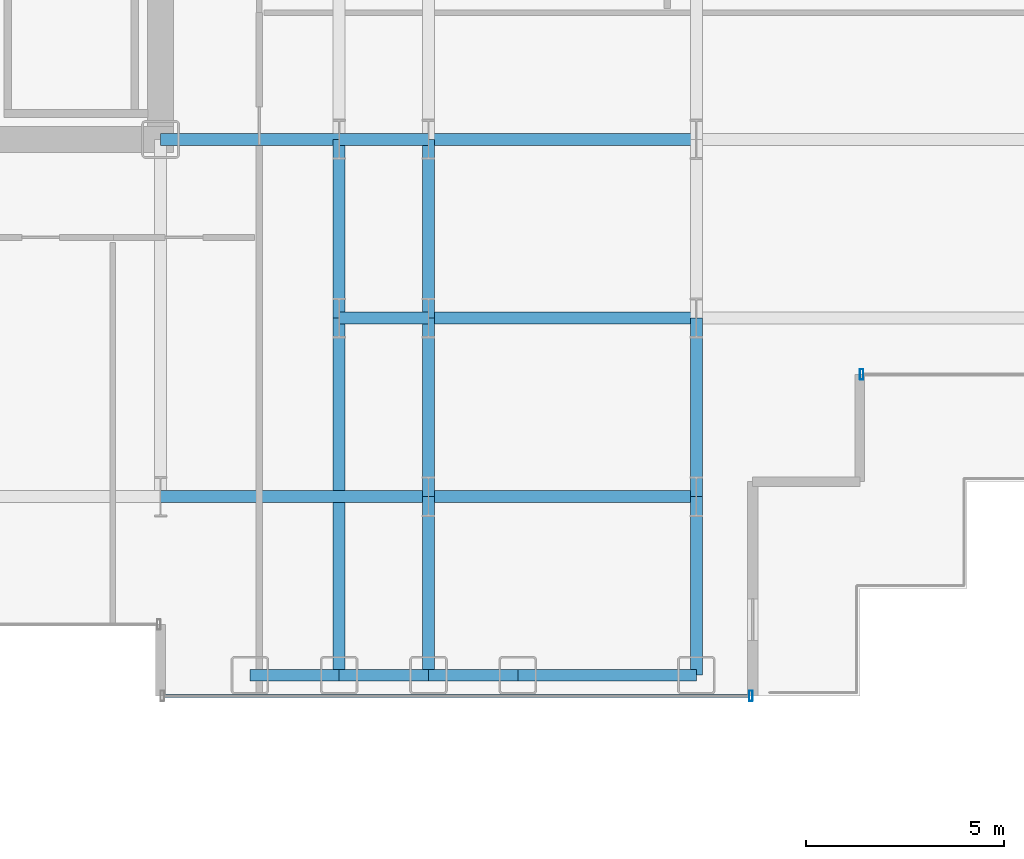
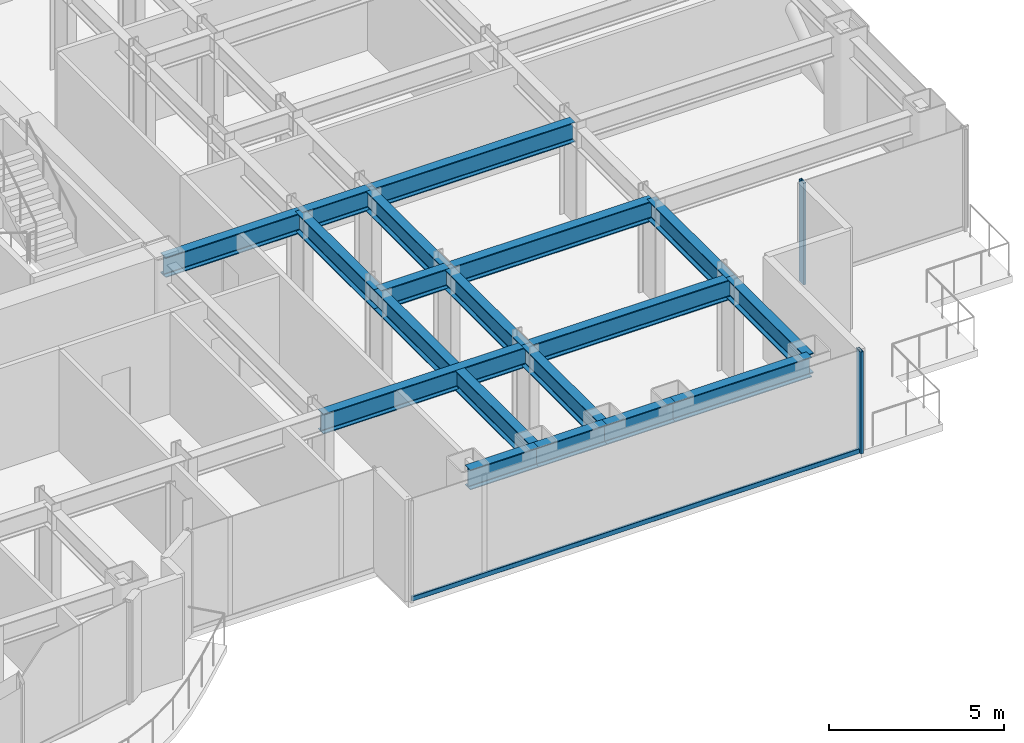
# One storey, part 9 of 29: 18 beams, 3 members, 2 elements without a shape of their own.
"""IFC4 building model written with IfcOpenShell, lengths in metres."""

from ifc_helpers import new_model, si_unit, direction, frame, origin, origin_2d, place, context, subcontext, project, spatial, hollow_rectangle, i_section, extrude, source, transform, mapped, material, layer, layer_set, material_profile, profile_set, type_object, element, aggregate, save


model = new_model("IFC4")

# Units and contexts
model_context = context("Model", 3, precision=1e-05, world=origin(), true_north=direction((0.0, 1.0)))
body_context = subcontext(model_context, "Body", "Model", "MODEL_VIEW")
ifc_project = project(units=[si_unit("LENGTHUNIT", "METRE"), si_unit("AREAUNIT", "SQUARE_METRE"), si_unit("VOLUMEUNIT", "CUBIC_METRE"), si_unit("PLANEANGLEUNIT", "RADIAN"), si_unit("MASSUNIT", "GRAM", prefix="KILO")], contexts=[model_context])

# Site, building, storey
site_placement = place(None, origin())
site = spatial("IfcSite", under=ifc_project, at=site_placement, CompositionType="ELEMENT")
building_placement = place(site_placement, origin())
building = spatial("IfcBuilding", under=site, at=building_placement, Name="Nefas-Gora Pilgrimage Tower", CompositionType="ELEMENT")
storey_placement = place(building_placement, frame((0.0, 0.0, 67.199951171875)))
storey = spatial("IfcBuildingStorey", under=building, at=storey_placement, Name="L15", CompositionType="ELEMENT", Elevation=67.199951171875)

# Beams
ifc_material_1 = material(Name="Steel S355", Category="steel")
ifc_material_profile_1 = material_profile(ifc_material_1, i_section(OverallWidth=0.300048828125, OverallDepth=0.699951171875, WebThickness=0.01708984375, FlangeThickness=0.031982421875, FilletRadius=0.027099609375, at=origin_2d()), Name="HEB 700")
ifc_profile_set_1 = profile_set([ifc_material_profile_1], Name="Steel S355")
beam_type_1 = type_object("IfcBeamType", Name="BM-SPN-HEB600", PredefinedType="SPANDREL", material=ifc_profile_set_1)
shared_shape_1 = source(origin(), body_context, "Body", "SweptSolid", [
    extrude(i_section(OverallWidth=0.300048828125, OverallDepth=0.699951171875, WebThickness=0.01708984375, FlangeThickness=0.031982421875, FilletRadius=0.027099609375, at=origin_2d()), origin(), (0.0, 0.0, 1.0), 4.5),
])
beam_1_placement = place(storey_placement, frame((20.25, -22.5, 3.199951171875), z_axis=(1.0, 0.0, 0.0), x_axis=(0.0, 1.0, 0.0)))
element("IfcBeam", 1, at=beam_1_placement, inside=storey, type_object=beam_type_1, Name="L15 SP-01 beam", PredefinedType="SPANDREL", context=body_context, shape_type="MappedRepresentation", body=[
    mapped(shared_shape_1, transform((0.0, 0.0, 0.0), x_axis=(1.0, 0.0, 0.0), y_axis=(0.0, 1.0, 0.0), z_axis=(0.0, 0.0, 1.0), scale=1.0)),
])
ifc_material_profile_2 = material_profile(ifc_material_1, i_section(OverallWidth=0.300048828125, OverallDepth=0.699951171875, WebThickness=0.01708984375, FlangeThickness=0.031982421875, FilletRadius=0.027099609375, at=origin_2d()), Name="HEB 700")
ifc_profile_set_2 = profile_set([ifc_material_profile_2], Name="Steel S355")
beam_type_2 = type_object("IfcBeamType", Name="BM-GIR-HEB700", PredefinedType="BEAM", material=ifc_profile_set_2)
shared_shape_2 = source(origin(), body_context, "Body", "SweptSolid", [
    extrude(i_section(OverallWidth=0.300048828125, OverallDepth=0.699951171875, WebThickness=0.01708984375, FlangeThickness=0.031982421875, FilletRadius=0.027099609375, at=origin_2d()), origin(), (0.0, 0.0, 1.0), 9.0),
])
beam_2_placement = place(storey_placement, frame((15.75, -22.5, 3.199951171875), z_axis=(0.0, 1.0, 0.0), x_axis=(-1.0, 0.0, 0.0)))
element("IfcBeam", 2, at=beam_2_placement, inside=storey, type_object=beam_type_2, Name="L15 G-02 beam", PredefinedType="BEAM", context=body_context, shape_type="MappedRepresentation", body=[
    mapped(shared_shape_2, transform((0.0, 0.0, 0.0), x_axis=(1.0, 0.0, 0.0), y_axis=(0.0, 1.0, 0.0), z_axis=(0.0, 0.0, 1.0), scale=1.0)),
])
shared_shape_3 = source(origin(), body_context, "Body", "SweptSolid", [
    extrude(i_section(OverallWidth=0.300048828125, OverallDepth=0.699951171875, WebThickness=0.01708984375, FlangeThickness=0.031982421875, FilletRadius=0.027099609375, at=origin_2d()), origin(), (0.0, 0.0, 1.0), 4.5),
])
for number, where, z_axis, x_axis, name in (
    (3, (11.25, -9.0, 3.199951171875), (1.0, 0.0, 0.0), (0.0, 1.0, 0.0), "L15 G-02 beam"),
    (4, (15.75, -13.5, 3.199951171875), (0.0, 1.0, 0.0), (-1.0, 0.0, 0.0), "L15 G-02 beam"),
    (5, (18.0, -22.5, 3.199951171875), (0.0, 1.0, 0.0), (-1.0, 0.0, 0.0), "L15 G-02 beam"),
    (6, (18.0, -18.0, 3.199951171875), (0.0, 1.0, 0.0), (-1.0, 0.0, 0.0), "L15 G-02 beam"),
    (7, (18.0, -13.5, 3.199951171875), (0.0, 1.0, 0.0), (-1.0, 0.0, 0.0), "L15 G-02 beam"),
    (8, (24.75, -22.5, 3.199951171875), (0.0, 1.0, 0.0), (-1.0, 0.0, 0.0), "L15 G-02 beam"),
    (9, (24.75, -18.0, 3.199951171875), (0.0, 1.0, 0.0), (-1.0, 0.0, 0.0), "L15 G-02 beam"),
):
    element("IfcBeam", number, at=place(storey_placement, frame(where, z_axis=z_axis, x_axis=x_axis)), inside=storey, type_object=beam_type_2, Name=name, PredefinedType="BEAM", context=body_context, shape_type="MappedRepresentation", body=[
        mapped(shared_shape_3, transform((0.0, 0.0, 0.0), x_axis=(1.0, 0.0, 0.0), y_axis=(0.0, 1.0, 0.0), z_axis=(0.0, 0.0, 1.0), scale=1.0)),
    ])
shared_shape_4 = source(origin(), body_context, "Body", "SweptSolid", [
    extrude(i_section(OverallWidth=0.300048828125, OverallDepth=0.699951171875, WebThickness=0.01708984375, FlangeThickness=0.031982421875, FilletRadius=0.027099609375, at=origin_2d()), origin(), (0.0, 0.0, 1.0), 6.75),
])
for number, where, z_axis, x_axis, name in (
    (10, (11.25, -18.0, 3.199951171875), (1.0, 0.0, 0.0), (0.0, 1.0, 0.0), "L15 G-02 beam"),
    (11, (18.0, -18.0, 3.199951171875), (1.0, 0.0, 0.0), (0.0, 1.0, 0.0), "L15 G-02 beam"),
    (12, (18.0, -13.5, 3.199951171875), (1.0, 0.0, 0.0), (0.0, 1.0, 0.0), "L15 G-02 beam"),
    (13, (18.0, -9.0, 3.199951171875), (1.0, 0.0, 0.0), (0.0, 1.0, 0.0), "L15 G-02 beam"),
):
    element("IfcBeam", number, at=place(storey_placement, frame(where, z_axis=z_axis, x_axis=x_axis)), inside=storey, type_object=beam_type_2, Name=name, PredefinedType="BEAM", context=body_context, shape_type="MappedRepresentation", body=[
        mapped(shared_shape_4, transform((0.0, 0.0, 0.0), x_axis=(1.0, 0.0, 0.0), y_axis=(0.0, 1.0, 0.0), z_axis=(0.0, 0.0, 1.0), scale=1.0)),
    ])
shared_shape_5 = source(origin(), body_context, "Body", "SweptSolid", [
    extrude(i_section(OverallWidth=0.300048828125, OverallDepth=0.699951171875, WebThickness=0.01708984375, FlangeThickness=0.031982421875, FilletRadius=0.027099609375, at=origin_2d()), origin(), (0.0, 0.0, 1.0), 2.25),
])
for number, where, z_axis, x_axis, name in (
    (14, (13.5, -22.5, 3.199951171875), (1.0, 0.0, 0.0), (0.0, 1.0, 0.0), "L15 SP-01 beam"),
    (15, (15.75, -22.5, 3.199951171875), (1.0, 0.0, 0.0), (0.0, 1.0, 0.0), "L15 SP-01 beam"),
    (16, (18.0, -22.5, 3.199951171875), (1.0, 0.0, 0.0), (0.0, 1.0, 0.0), "L15 SP-01 beam"),
):
    element("IfcBeam", number, at=place(storey_placement, frame(where, z_axis=z_axis, x_axis=x_axis)), inside=storey, type_object=beam_type_1, Name=name, PredefinedType="SPANDREL", context=body_context, shape_type="MappedRepresentation", body=[
        mapped(shared_shape_5, transform((0.0, 0.0, 0.0), x_axis=(1.0, 0.0, 0.0), y_axis=(0.0, 1.0, 0.0), z_axis=(0.0, 0.0, 1.0), scale=1.0)),
    ])
shared_shape_6 = source(origin(), body_context, "Body", "SweptSolid", [
    extrude(i_section(OverallWidth=0.300048828125, OverallDepth=0.699951171875, WebThickness=0.01708984375, FlangeThickness=0.031982421875, FilletRadius=0.027099609375, at=origin_2d()), origin(), (0.0, 0.0, 1.0), 2.25),
])
for number, where, z_axis, x_axis, name in (
    (17, (15.75, -13.5, 3.199951171875), (1.0, 0.0, 0.0), (0.0, 1.0, 0.0), "L15 G-02 beam"),
    (18, (15.75, -9.0, 3.199951171875), (1.0, 0.0, 0.0), (0.0, 1.0, 0.0), "L15 G-02 beam"),
):
    element("IfcBeam", number, at=place(storey_placement, frame(where, z_axis=z_axis, x_axis=x_axis)), inside=storey, type_object=beam_type_2, Name=name, PredefinedType="BEAM", context=body_context, shape_type="MappedRepresentation", body=[
        mapped(shared_shape_6, transform((0.0, 0.0, 0.0), x_axis=(1.0, 0.0, 0.0), y_axis=(0.0, 1.0, 0.0), z_axis=(0.0, 0.0, 1.0), scale=1.0)),
    ])

# Curtain wall, member
ifc_material_2 = material(Name="Dark ceramic-fritted solar-control aluminium-glass curtain wall", Category="aluminium")
ifc_layer = layer(ifc_material_2, 0.219970703125)
ifc_layer_set = layer_set([ifc_layer], Name="Dark ceramic-fritted solar-control aluminium-glass curtain wall")
curtain_wall_type = type_object("IfcCurtainWallType", Name="CW-SYS-2", PredefinedType="NOTDEFINED", material=ifc_layer_set)
curtain_wall_1_placement = place(storey_placement, origin())
curtain_wall_1 = element("IfcCurtainWall", 19, at=curtain_wall_1_placement, inside=storey, type_object=curtain_wall_type, Name="L15 Unitised Curtain Wall CW2", PredefinedType="NOTDEFINED")
ifc_material_3 = material(Name="Anodised architectural aluminium", Category="aluminium")
ifc_material_profile_3 = material_profile(ifc_material_3, hollow_rectangle(XDim=0.090087890625, YDim=0.260009765625, WallThickness=0.006103515625, InnerFilletRadius=0.006103515625, OuterFilletRadius=0.011962890625, at=origin_2d()), Name="ALU MULLION 90x260")
ifc_profile_set_3 = profile_set([ifc_material_profile_3], Name="Anodised architectural aluminium")
member_type_1 = type_object("IfcMemberType", Name="CWM-MUL-2", PredefinedType="MULLION", material=ifc_profile_set_3)
shared_shape_7 = source(origin(), body_context, "Body", "SweptSolid", [
    extrude(hollow_rectangle(XDim=0.090087890625, YDim=0.260009765625, WallThickness=0.006103515625, InnerFilletRadius=0.006103515625, OuterFilletRadius=0.011962890625, at=origin_2d()), origin(), (0.0, 0.0, 1.0), 3.550048828125),
])
member_1_placement = place(storey_placement, frame((26.125, -23.02001953125, 0.0), z_axis=(0.0, 0.0, 1.0), x_axis=(1.0, 0.0, 0.0)))
member_1 = element("IfcMember", 20, at=member_1_placement, type_object=member_type_1, Name="CW2 Mullion 2", PredefinedType="MULLION", context=body_context, shape_type="MappedRepresentation", body=[
    mapped(shared_shape_7, transform((0.0, 0.0, 0.0), x_axis=(1.0, 0.0, 0.0), y_axis=(0.0, 1.0, 0.0), z_axis=(0.0, 0.0, 1.0), scale=1.0)),
])

curtain_wall_2_placement = place(storey_placement, origin())
curtain_wall_2 = element("IfcCurtainWall", 21, at=curtain_wall_2_placement, inside=storey, type_object=curtain_wall_type, Name="L15 Unitised Curtain Wall CW2", PredefinedType="NOTDEFINED")
member_2_placement = place(storey_placement, frame((28.9150390625, -14.919921875, 0.0), z_axis=(0.0, 0.0, 1.0), x_axis=(1.0, 0.0, 0.0)))
member_2 = element("IfcMember", 22, at=member_2_placement, type_object=member_type_1, Name="CW2 Mullion 1", PredefinedType="MULLION", context=body_context, shape_type="MappedRepresentation", body=[
    mapped(shared_shape_7, transform((0.0, 0.0, 0.0), x_axis=(1.0, 0.0, 0.0), y_axis=(0.0, 1.0, 0.0), z_axis=(0.0, 0.0, 1.0), scale=1.0)),
])
aggregate(curtain_wall_2, [member_2])

# Member
ifc_material_profile_4 = material_profile(ifc_material_3, hollow_rectangle(XDim=0.080078125, YDim=0.159912109375, WallThickness=0.00439453125, InnerFilletRadius=0.00439453125, OuterFilletRadius=0.009033203125, at=origin_2d()), Name="ALU TRANSOM 80x160")
ifc_profile_set_4 = profile_set([ifc_material_profile_4], Name="Anodised architectural aluminium")
member_type_2 = type_object("IfcMemberType", Name="CWM-TRN-2", PredefinedType="USERDEFINED", material=ifc_profile_set_4)
shared_shape_8 = source(origin(), body_context, "Body", "SweptSolid", [
    extrude(hollow_rectangle(XDim=0.080078125, YDim=0.159912109375, WallThickness=0.00439453125, InnerFilletRadius=0.00439453125, OuterFilletRadius=0.009033203125, at=origin_2d()), origin(), (0.0, 0.0, 1.0), 14.739990234375),
])
member_3_placement = place(storey_placement, frame((11.340087890625, -23.02001953125, 0.050048828125), z_axis=(1.0, 0.0, 0.0), x_axis=(0.0, 1.0, 0.0)))
member_3 = element("IfcMember", 23, at=member_3_placement, type_object=member_type_2, Name="CW2 Spandrel Transom", ObjectType="TRANSOM", PredefinedType="USERDEFINED", context=body_context, shape_type="MappedRepresentation", body=[
    mapped(shared_shape_8, transform((0.0, 0.0, 0.0), x_axis=(1.0, 0.0, 0.0), y_axis=(0.0, 1.0, 0.0), z_axis=(0.0, 0.0, 1.0), scale=1.0)),
])

aggregate(curtain_wall_1, [member_1, member_3])

save(model, "model.ifc")
